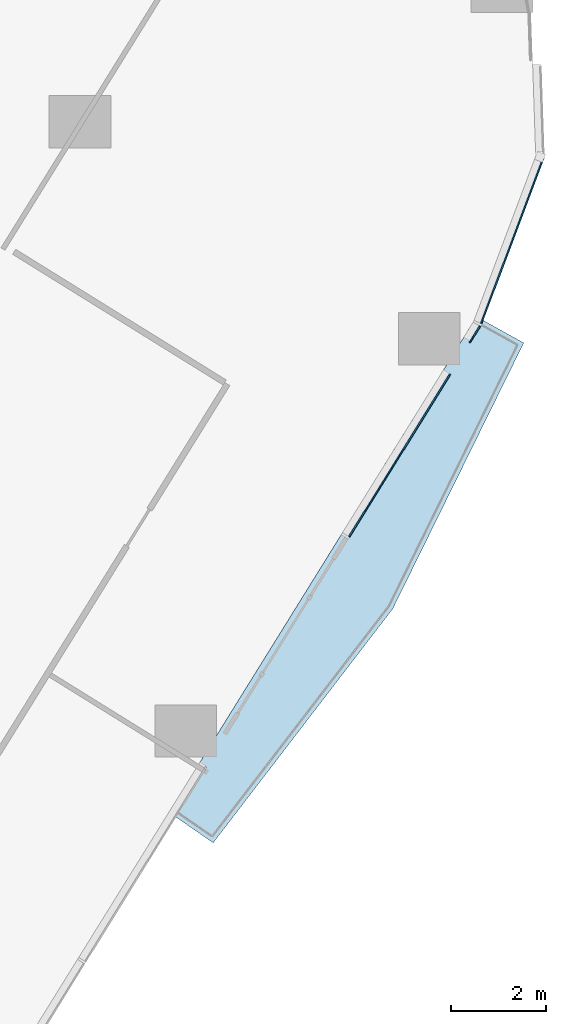
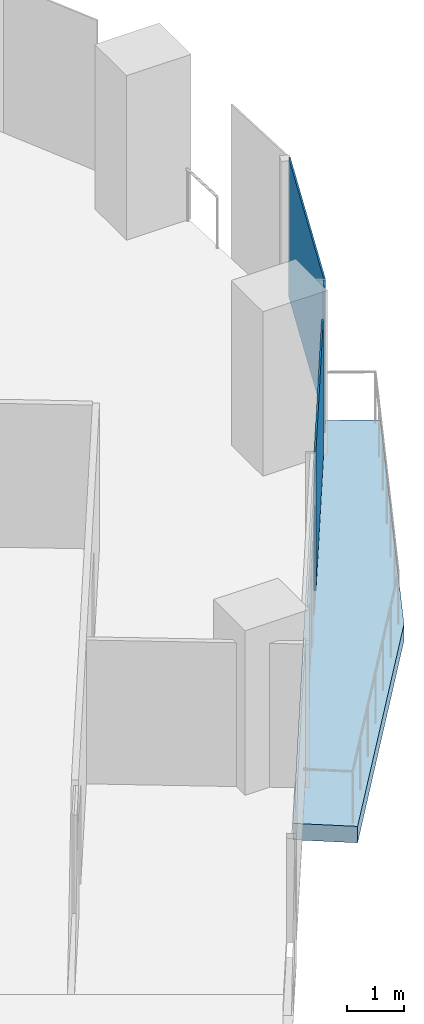
# One storey, part 21 of 34: 3 plates, 1 slab, 2 elements without a shape of their own.
"""IFC4 building model written with IfcOpenShell, lengths in metres."""

from ifc_helpers import new_model, si_unit, direction, frame, origin, origin_2d, place, context, subcontext, project, spatial, polyline, rectangle, outline, extrude, material, layer, layer_set, type_object, element, aggregate, save


model = new_model("IFC4")

# Units and contexts
model_context = context("Model", 3, precision=1e-05, world=origin(), true_north=direction((0.0, 1.0)))
body_context = subcontext(model_context, "Body", "Model", "MODEL_VIEW")
ifc_project = project(units=[si_unit("LENGTHUNIT", "METRE"), si_unit("AREAUNIT", "SQUARE_METRE"), si_unit("VOLUMEUNIT", "CUBIC_METRE"), si_unit("PLANEANGLEUNIT", "RADIAN"), si_unit("MASSUNIT", "GRAM", prefix="KILO")], contexts=[model_context])

# Site, building, storey
site_placement = place(None, origin())
site = spatial("IfcSite", under=ifc_project, at=site_placement, CompositionType="ELEMENT")
building_placement = place(site_placement, origin())
building = spatial("IfcBuilding", under=site, at=building_placement, Name="Orlundy Tower", CompositionType="ELEMENT")
storey_placement = place(building_placement, frame((0.0, 0.0, 37.300048828125)))
storey = spatial("IfcBuildingStorey", under=building, at=storey_placement, Name="L07", CompositionType="ELEMENT", Elevation=37.300048828125)

# Curtain wall, plate
ifc_material_1 = material(Name="Aluminium bronze anodised", Category="aluminium")
curtain_wall_type = type_object("IfcCurtainWallType", Name="CW1 wall", PredefinedType="NOTDEFINED", material=ifc_material_1)
curtain_wall_1_placement = place(storey_placement, origin())
curtain_wall_1 = element("IfcCurtainWall", 1, at=curtain_wall_1_placement, inside=storey, type_object=curtain_wall_type, Name="CW1 run 010", PredefinedType="NOTDEFINED")
ifc_material_2 = material(Name="Tinted glass", Category="glass")
ifc_layer_1 = layer(ifc_material_2, 0.031982421875)
ifc_layer_set_1 = layer_set([ifc_layer_1], Name="CW1 glass panel 32")
plate_type = type_object("IfcPlateType", Name="CW1 glass panel 32", PredefinedType="CURTAIN_PANEL", material=ifc_layer_set_1)
plate_1_placement = place(storey_placement, frame((56.9013671875, -20.76611328125, 0.119873046875), z_axis=(0.0, 0.0, 1.0), x_axis=(-0.351537332791, -0.936173864009, 0.0)))
plate_1 = element("IfcPlate", 2, at=plate_1_placement, type_object=plate_type, Name="CW1 panel", PredefinedType="CURTAIN_PANEL", context=body_context, shape_type="SweptSolid", body=[
    extrude(rectangle(XDim=3.730224609375, YDim=0.031982421875, at=origin_2d()), origin(), (0.0, 0.0, 1.0), 2.9599609375),
])
aggregate(curtain_wall_1, [plate_1])

# Curtain wall, plates
curtain_wall_2_placement = place(storey_placement, origin())
curtain_wall_2 = element("IfcCurtainWall", 3, at=curtain_wall_2_placement, inside=storey, type_object=curtain_wall_type, Name="CW1 run 011", PredefinedType="NOTDEFINED")
plate_2_placement = place(storey_placement, frame((56.115234375, -22.7314453125, 0.119873046875), z_axis=(0.0, 0.0, 1.0), x_axis=(-0.527475466848, -0.849570263059, 0.0)))
plate_2 = element("IfcPlate", 4, at=plate_2_placement, type_object=plate_type, Name="CW1 panel", PredefinedType="CURTAIN_PANEL", context=body_context, shape_type="SweptSolid", body=[
    extrude(rectangle(XDim=0.41064453125, YDim=0.031982421875, at=origin_2d()), origin(), (0.0, 0.0, 1.0), 2.9599609375),
])
plate_3_placement = place(storey_placement, frame((54.53173828125, -25.2822265625, 0.119873046875), z_axis=(0.0, 0.0, 1.0), x_axis=(-0.527475466848, -0.849570263059, 0.0)))
plate_3 = element("IfcPlate", 5, at=plate_3_placement, type_object=plate_type, Name="CW1 panel", PredefinedType="CURTAIN_PANEL", context=body_context, shape_type="SweptSolid", body=[
    extrude(rectangle(XDim=4.016845703125, YDim=0.031982421875, at=origin_2d()), origin(), (0.0, 0.0, 1.0), 2.9599609375),
])
aggregate(curtain_wall_2, [plate_2, plate_3])

# Slab
ifc_material_3 = material(Name="Concrete C45/55", Category="concrete")
ifc_layer_2 = layer(ifc_material_3, 0.35009765625)
ifc_layer_set_2 = layer_set([ifc_layer_2], Name="TERRACE SLAB 350 C45/55")
slab_type = type_object("IfcSlabType", Name="TERRACE SLAB 350 C45/55", PredefinedType="ROOF", material=ifc_layer_set_2)
slab_placement = place(storey_placement, frame((0.0, 0.0, -0.35009765625)))
element("IfcSlab", 6, at=slab_placement, inside=storey, type_object=slab_type, Name="Terrace slab L07-1", PredefinedType="ROOF", context=body_context, shape_type="SweptSolid", body=[
    extrude(outline(polyline([(50.617919921875, -33.416015625), (49.68798828125, -32.77294921875), (56.14892578125, -22.365966796875), (57.14111328125, -22.916015625), (54.389892578125, -28.5), (50.617919921875, -33.416015625)])), origin(), (0.0, 0.0, 1.0), 0.35009765625),
])

save(model, "model.ifc")
